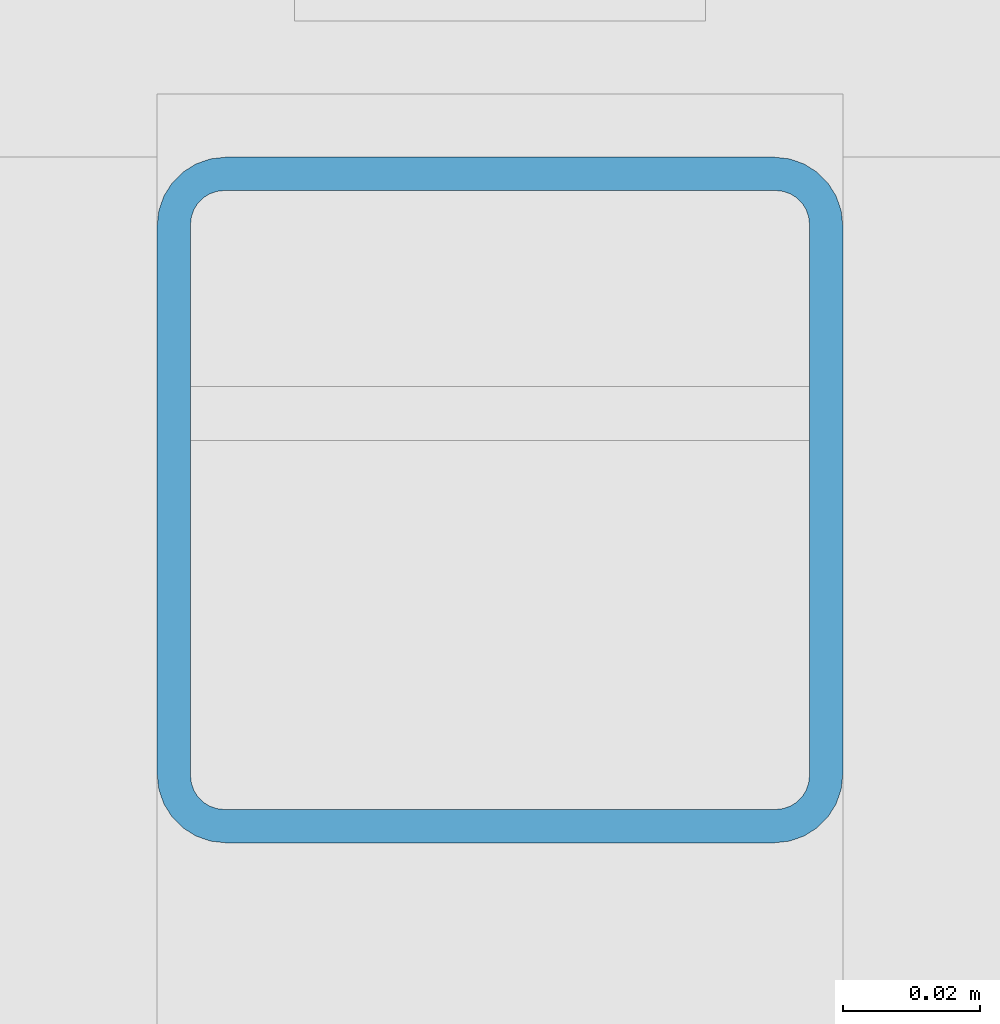
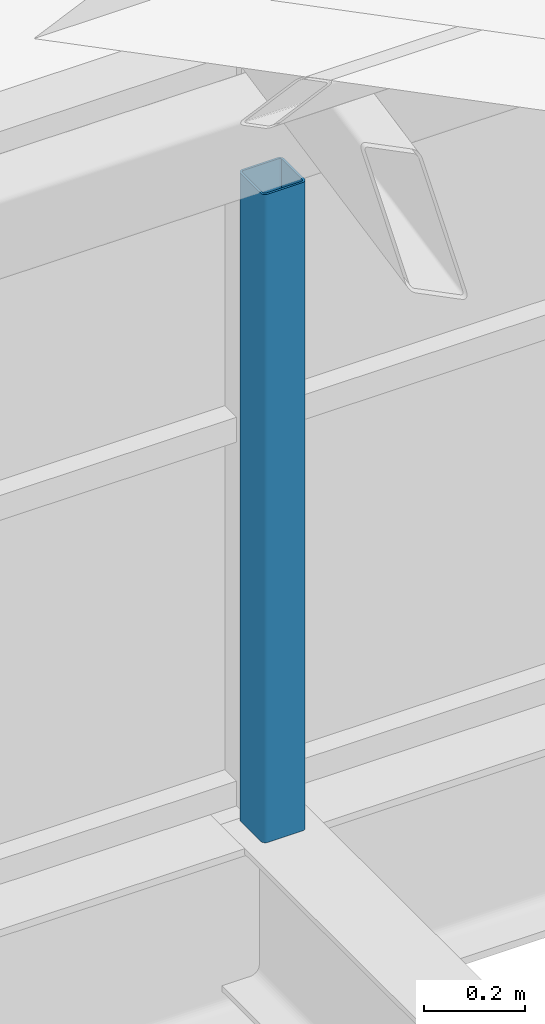
# One storey, part 22 of 121: 1 member.
"""IFC4 building model written with IfcOpenShell, lengths in metres."""

from ifc_helpers import new_model, si_unit, direction, frame, origin, origin_2d, place, context, subcontext, project, spatial, hollow_rectangle, extrude, material, material_profile, profile_set, type_object, element, save


model = new_model("IFC4")

# Units and contexts
model_context = context("Model", 3, precision=1e-05, world=origin(), true_north=direction((0.0, 1.0)))
body_context = subcontext(model_context, "Body", "Model", "MODEL_VIEW")
ifc_project = project(units=[si_unit("LENGTHUNIT", "METRE"), si_unit("AREAUNIT", "SQUARE_METRE"), si_unit("VOLUMEUNIT", "CUBIC_METRE"), si_unit("PLANEANGLEUNIT", "RADIAN"), si_unit("MASSUNIT", "GRAM", prefix="KILO")], contexts=[model_context])

# Site, building, storey
site_placement = place(None, origin())
site = spatial("IfcSite", under=ifc_project, at=site_placement, CompositionType="ELEMENT")
building_placement = place(site_placement, origin())
building = spatial("IfcBuilding", under=site, at=building_placement, Name="Ardhachandra Cancer Care Centre", CompositionType="ELEMENT")
storey_placement = place(building_placement, frame((0.0, 0.0, 9.0)))
storey = spatial("IfcBuildingStorey", under=building, at=storey_placement, Name="L02", CompositionType="ELEMENT", Elevation=9.0)

# Member
ifc_material = material(Name="Steel E350 (IS 2062)", Category="steel")
ifc_material_profile = material_profile(ifc_material, hollow_rectangle(XDim=0.10009765625, YDim=0.10009765625, WallThickness=0.0048828125, InnerFilletRadius=0.0048828125, OuterFilletRadius=0.010009765625, at=origin_2d()), Name="SHS 100x100x5.0")
ifc_profile_set = profile_set([ifc_material_profile], Name="Steel E350 (IS 2062)")
member_type = type_object("IfcMemberType", Name="Sawtooth ridge post SHS 100x100x5.0", PredefinedType="POST", material=ifc_profile_set)
member_placement = place(storey_placement, frame((27.60009765625, 54.550048828125, 0.0), z_axis=(0.0, 0.0, 1.0), x_axis=(1.0, 0.0, 0.0)))
element("IfcMember", 1, at=member_placement, inside=storey, type_object=member_type, Name="Ridge post T3a.3", PredefinedType="POST", context=body_context, shape_type="SweptSolid", body=[
    extrude(hollow_rectangle(XDim=0.10009765625, YDim=0.10009765625, WallThickness=0.0048828125, InnerFilletRadius=0.0048828125, OuterFilletRadius=0.010009765625, at=origin_2d()), origin(), (0.0, 0.0, 1.0), 1.5673828125),
])

save(model, "model.ifc")
